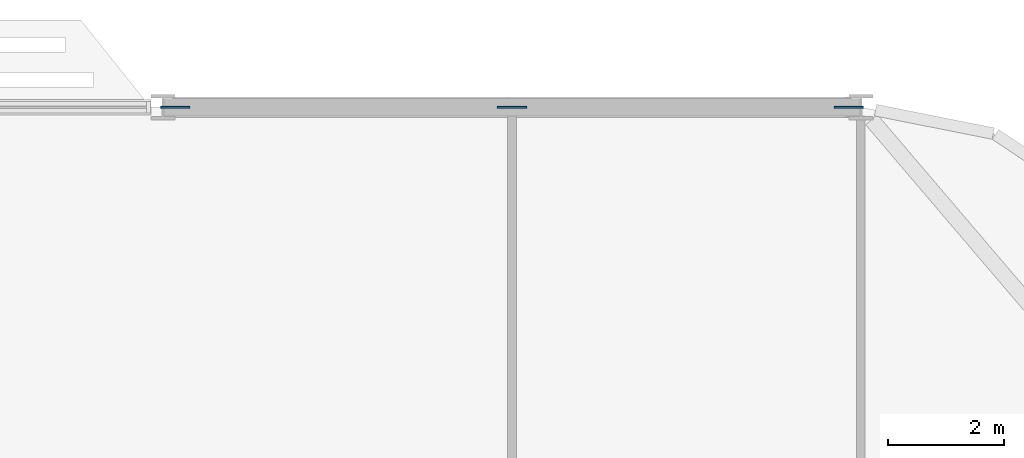
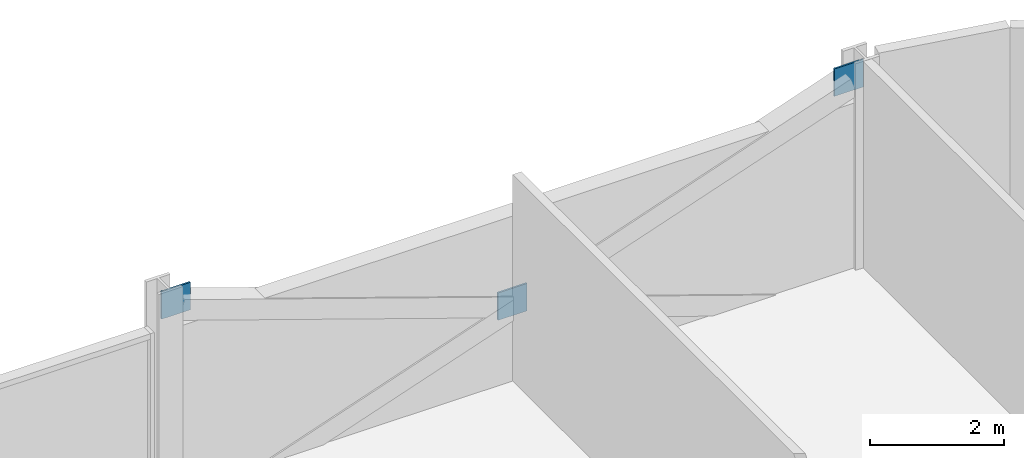
# One storey, part 23 of 28: 3 discrete accessories.
"""IFC4 building model written with IfcOpenShell, lengths in metres."""

from ifc_helpers import new_model, si_unit, direction, frame, origin, origin_2d, place, context, subcontext, project, spatial, rectangle, extrude, material, layer, layer_set, type_object, element, save


model = new_model("IFC4")

# Units and contexts
model_context = context("Model", 3, precision=1e-05, world=origin(), true_north=direction((0.0, 1.0)))
body_context = subcontext(model_context, "Body", "Model", "MODEL_VIEW")
ifc_project = project(units=[si_unit("LENGTHUNIT", "METRE"), si_unit("AREAUNIT", "SQUARE_METRE"), si_unit("VOLUMEUNIT", "CUBIC_METRE"), si_unit("PLANEANGLEUNIT", "RADIAN"), si_unit("MASSUNIT", "GRAM", prefix="KILO")], contexts=[model_context])

# Site, building, storey
site_placement = place(None, origin())
site = spatial("IfcSite", under=ifc_project, at=site_placement, CompositionType="ELEMENT")
building_placement = place(site_placement, origin())
building = spatial("IfcBuilding", under=site, at=building_placement, Name="Mahtab Terrace Research Tower", CompositionType="ELEMENT")
storey_placement = place(building_placement, frame((0.0, 0.0, 130.199951171875)))
storey = spatial("IfcBuildingStorey", under=building, at=storey_placement, Name="L30", CompositionType="ELEMENT", Elevation=130.199951171875)

# Discrete accessories
ifc_material = material(Name="Steel ASTM A992 Gr 50", Category="steel")
ifc_layer = layer(ifc_material, 0.030029296875)
ifc_layer_set = layer_set([ifc_layer], Name="Gusset plate 500x500x30")
discrete_accessory_type = type_object("IfcDiscreteAccessoryType", Name="Gusset plate 500x500x30", PredefinedType="USERDEFINED", material=ifc_layer_set)
for number, where, z_axis, x_axis, name in (
    (1, (30.205810546875, 29.0, 3.131591796875), (0.0, 0.0, 1.0), (1.0, 0.0, 0.0), "Gusset plate"),
    (2, (36.0, 29.0, 1.08154296875), (0.0, 0.0, 1.0), (1.0, 0.0, 0.0), "Gusset plate"),
    (3, (41.794189453125, 29.0, 3.131591796875), (0.0, 0.0, 1.0), (1.0, 0.0, 0.0), "Gusset plate"),
):
    element("IfcDiscreteAccessory", number, at=place(storey_placement, frame(where, z_axis=z_axis, x_axis=x_axis)), inside=storey, type_object=discrete_accessory_type, Name=name, ObjectType="GUSSET PLATE", PredefinedType="USERDEFINED", context=body_context, shape_type="SweptSolid", body=[
        extrude(rectangle(XDim=0.5, YDim=0.030029296875, at=origin_2d()), origin(), (0.0, 0.0, 1.0), 0.5),
    ])

save(model, "model.ifc")
